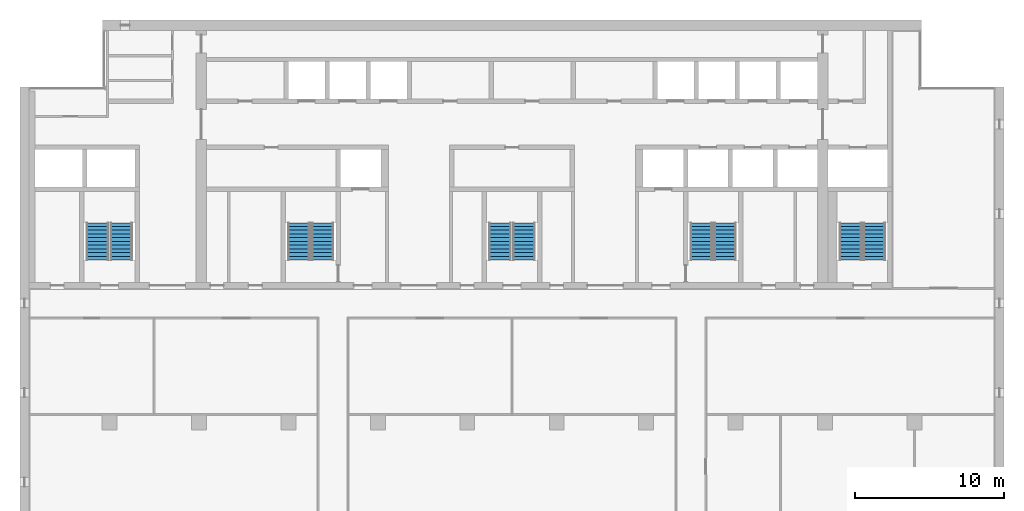
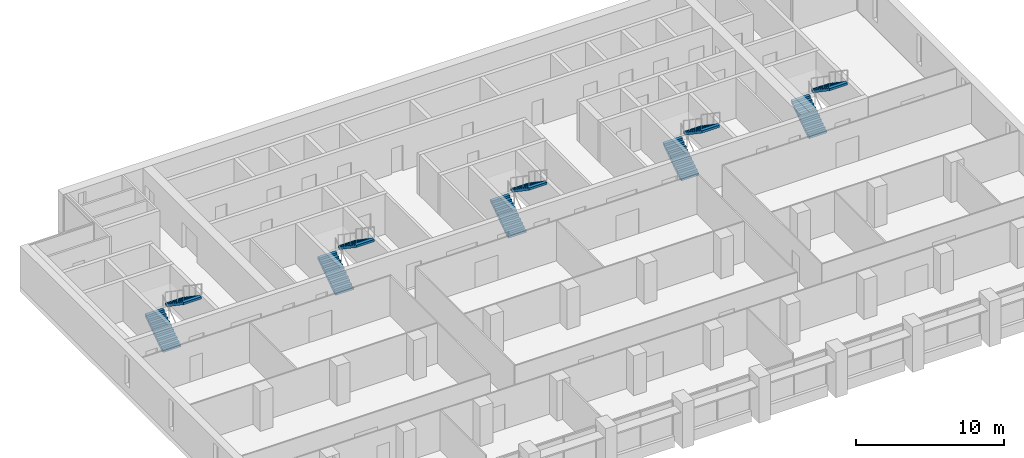
# One storey, part 13 of 17: 10 stair flights, 5 elements without a shape of their own.
"""IFC4 building model written with IfcOpenShell, lengths in metres."""

from ifc_helpers import new_model, si_unit, direction, frame, origin, place, context, subcontext, project, spatial, polyline, outline, extrude, material, type_object, element, aggregate, save


model = new_model("IFC4")

# Units and contexts
model_context = context("Model", 3, precision=1e-05, world=origin(), true_north=direction((0.0, 1.0)))
body_context = subcontext(model_context, "Body", "Model", "MODEL_VIEW")
ifc_project = project(units=[si_unit("LENGTHUNIT", "METRE"), si_unit("AREAUNIT", "SQUARE_METRE"), si_unit("VOLUMEUNIT", "CUBIC_METRE"), si_unit("PLANEANGLEUNIT", "RADIAN"), si_unit("MASSUNIT", "GRAM", prefix="KILO")], contexts=[model_context])

# Site, building, storey
site_placement = place(None, origin())
site = spatial("IfcSite", under=ifc_project, at=site_placement, CompositionType="ELEMENT")
building_placement = place(site_placement, origin())
building = spatial("IfcBuilding", under=site, at=building_placement, Name="Calvaro Tower", CompositionType="ELEMENT")
storey_placement = place(building_placement, frame((0.0, 0.0, 215.5)))
storey = spatial("IfcBuildingStorey", under=building, at=storey_placement, Name="L54", CompositionType="ELEMENT", Elevation=215.5)

# Stair, stair flights
ifc_material_1 = material(Name="Concrete C40/50", Category="concrete")
stair_type = type_object("IfcStairType", Name="Exit stair 1400 2 flights", PredefinedType="HALF_TURN_STAIR", material=ifc_material_1)
stair_1_placement = place(storey_placement, origin())
stair_1 = element("IfcStair", 1, at=stair_1_placement, inside=storey, type_object=stair_type, Name="Exit stair S1", PredefinedType="HALF_TURN_STAIR")
ifc_material_2 = material(Name="Concrete C40/50", Category="concrete")
stair_flight_type = type_object("IfcStairFlightType", Name="Stair flight", PredefinedType="STRAIGHT", material=ifc_material_2)
stair_flight_1_placement = place(storey_placement, frame((11.199951171875, 29.89990234375, 0.0), z_axis=(0.0, 0.0, 1.0), x_axis=(0.0, 1.0, 0.0)))
stair_flight_1 = element("IfcStairFlight", 2, at=stair_flight_1_placement, type_object=stair_flight_type, Name="Exit stair 1, flight 1", NumberOfRisers=11, NumberOfTreads=10, PredefinedType="STRAIGHT", RiserHeight=0.170454545, TreadLength=0.25, context=body_context, shape_type="SweptSolid", body=[
    extrude(outline(polyline([(0.0, 0.0), (0.0, 0.17041015625), (0.25, 0.17041015625), (0.25, 0.3408203125), (0.5, 0.3408203125), (0.5, 0.511474609375), (0.75, 0.511474609375), (0.75, 0.681884765625), (1.0, 0.681884765625), (1.0, 0.852294921875), (1.25, 0.852294921875), (1.25, 1.022705078125), (1.5, 1.022705078125), (1.5, 1.193115234375), (1.75, 1.193115234375), (1.75, 1.363525390625), (2.0, 1.363525390625), (2.0, 1.5341796875), (2.25, 1.5341796875), (2.25, 1.70458984375), (2.5, 1.70458984375), (2.5, 1.875), (2.5, 1.523193359375), (0.26611328125, 0.0), (0.0, 0.0)])), frame((0.0, 0.699951171875, 0.0), z_axis=(0.0, -1.0, 0.0), x_axis=(1.0, 0.0, 0.0)), (0.0, 0.0, 1.0), 1.39990234375),
])
stair_flight_2_placement = place(storey_placement, frame((12.800048828125, 32.39990234375, 1.875), z_axis=(0.0, 0.0, 1.0), x_axis=(0.0, -1.0, 0.0)))
stair_flight_2 = element("IfcStairFlight", 3, at=stair_flight_2_placement, type_object=stair_flight_type, Name="Exit stair 1, flight 2", NumberOfRisers=11, NumberOfTreads=10, PredefinedType="STRAIGHT", RiserHeight=0.170454545, TreadLength=0.25, context=body_context, shape_type="SweptSolid", body=[
    extrude(outline(polyline([(0.0, 0.0), (0.0, 0.17041015625), (0.25, 0.17041015625), (0.25, 0.3408203125), (0.5, 0.3408203125), (0.5, 0.511474609375), (0.75, 0.511474609375), (0.75, 0.681884765625), (1.0, 0.681884765625), (1.0, 0.852294921875), (1.25, 0.852294921875), (1.25, 1.022705078125), (1.5, 1.022705078125), (1.5, 1.193115234375), (1.75, 1.193115234375), (1.75, 1.363525390625), (2.0, 1.363525390625), (2.0, 1.5341796875), (2.25, 1.5341796875), (2.25, 1.70458984375), (2.5, 1.70458984375), (2.5, 1.875), (2.5, 1.523193359375), (0.26611328125, 0.0), (0.0, 0.0)])), frame((0.0, 0.699951171875, 0.0), z_axis=(0.0, -1.0, 0.0), x_axis=(1.0, 0.0, 0.0)), (0.0, 0.0, 1.0), 1.39990234375),
])
aggregate(stair_1, [stair_flight_1, stair_flight_2])

stair_2_placement = place(storey_placement, origin())
stair_2 = element("IfcStair", 4, at=stair_2_placement, inside=storey, type_object=stair_type, Name="Exit stair S2", PredefinedType="HALF_TURN_STAIR")
stair_flight_3_placement = place(storey_placement, frame((24.699951171875, 29.89990234375, 0.0), z_axis=(0.0, 0.0, 1.0), x_axis=(0.0, 1.0, 0.0)))
stair_flight_3 = element("IfcStairFlight", 5, at=stair_flight_3_placement, type_object=stair_flight_type, Name="Exit stair 2, flight 1", NumberOfRisers=11, NumberOfTreads=10, PredefinedType="STRAIGHT", RiserHeight=0.170454545, TreadLength=0.25, context=body_context, shape_type="SweptSolid", body=[
    extrude(outline(polyline([(0.0, 0.0), (0.0, 0.17041015625), (0.25, 0.17041015625), (0.25, 0.3408203125), (0.5, 0.3408203125), (0.5, 0.511474609375), (0.75, 0.511474609375), (0.75, 0.681884765625), (1.0, 0.681884765625), (1.0, 0.852294921875), (1.25, 0.852294921875), (1.25, 1.022705078125), (1.5, 1.022705078125), (1.5, 1.193115234375), (1.75, 1.193115234375), (1.75, 1.363525390625), (2.0, 1.363525390625), (2.0, 1.5341796875), (2.25, 1.5341796875), (2.25, 1.70458984375), (2.5, 1.70458984375), (2.5, 1.875), (2.5, 1.523193359375), (0.26611328125, 0.0), (0.0, 0.0)])), frame((0.0, 0.699951171875, 0.0), z_axis=(0.0, -1.0, 0.0), x_axis=(1.0, 0.0, 0.0)), (0.0, 0.0, 1.0), 1.39990234375),
])
stair_flight_4_placement = place(storey_placement, frame((26.300048828125, 32.39990234375, 1.875), z_axis=(0.0, 0.0, 1.0), x_axis=(0.0, -1.0, 0.0)))
stair_flight_4 = element("IfcStairFlight", 6, at=stair_flight_4_placement, type_object=stair_flight_type, Name="Exit stair 2, flight 2", NumberOfRisers=11, NumberOfTreads=10, PredefinedType="STRAIGHT", RiserHeight=0.170454545, TreadLength=0.25, context=body_context, shape_type="SweptSolid", body=[
    extrude(outline(polyline([(0.0, 0.0), (0.0, 0.17041015625), (0.25, 0.17041015625), (0.25, 0.3408203125), (0.5, 0.3408203125), (0.5, 0.511474609375), (0.75, 0.511474609375), (0.75, 0.681884765625), (1.0, 0.681884765625), (1.0, 0.852294921875), (1.25, 0.852294921875), (1.25, 1.022705078125), (1.5, 1.022705078125), (1.5, 1.193115234375), (1.75, 1.193115234375), (1.75, 1.363525390625), (2.0, 1.363525390625), (2.0, 1.5341796875), (2.25, 1.5341796875), (2.25, 1.70458984375), (2.5, 1.70458984375), (2.5, 1.875), (2.5, 1.523193359375), (0.26611328125, 0.0), (0.0, 0.0)])), frame((0.0, 0.699951171875, 0.0), z_axis=(0.0, -1.0, 0.0), x_axis=(1.0, 0.0, 0.0)), (0.0, 0.0, 1.0), 1.39990234375),
])
aggregate(stair_2, [stair_flight_3, stair_flight_4])

stair_3_placement = place(storey_placement, origin())
stair_3 = element("IfcStair", 7, at=stair_3_placement, inside=storey, type_object=stair_type, Name="Exit stair S3", PredefinedType="HALF_TURN_STAIR")
stair_flight_5_placement = place(storey_placement, frame((38.199951171875, 29.89990234375, 0.0), z_axis=(0.0, 0.0, 1.0), x_axis=(0.0, 1.0, 0.0)))
stair_flight_5 = element("IfcStairFlight", 8, at=stair_flight_5_placement, type_object=stair_flight_type, Name="Exit stair 3, flight 1", NumberOfRisers=11, NumberOfTreads=10, PredefinedType="STRAIGHT", RiserHeight=0.170454545, TreadLength=0.25, context=body_context, shape_type="SweptSolid", body=[
    extrude(outline(polyline([(0.0, 0.0), (0.0, 0.17041015625), (0.25, 0.17041015625), (0.25, 0.3408203125), (0.5, 0.3408203125), (0.5, 0.511474609375), (0.75, 0.511474609375), (0.75, 0.681884765625), (1.0, 0.681884765625), (1.0, 0.852294921875), (1.25, 0.852294921875), (1.25, 1.022705078125), (1.5, 1.022705078125), (1.5, 1.193115234375), (1.75, 1.193115234375), (1.75, 1.363525390625), (2.0, 1.363525390625), (2.0, 1.5341796875), (2.25, 1.5341796875), (2.25, 1.70458984375), (2.5, 1.70458984375), (2.5, 1.875), (2.5, 1.523193359375), (0.26611328125, 0.0), (0.0, 0.0)])), frame((0.0, 0.699951171875, 0.0), z_axis=(0.0, -1.0, 0.0), x_axis=(1.0, 0.0, 0.0)), (0.0, 0.0, 1.0), 1.39990234375),
])
stair_flight_6_placement = place(storey_placement, frame((39.800048828125, 32.39990234375, 1.875), z_axis=(0.0, 0.0, 1.0), x_axis=(0.0, -1.0, 0.0)))
stair_flight_6 = element("IfcStairFlight", 9, at=stair_flight_6_placement, type_object=stair_flight_type, Name="Exit stair 3, flight 2", NumberOfRisers=11, NumberOfTreads=10, PredefinedType="STRAIGHT", RiserHeight=0.170454545, TreadLength=0.25, context=body_context, shape_type="SweptSolid", body=[
    extrude(outline(polyline([(0.0, 0.0), (0.0, 0.17041015625), (0.25, 0.17041015625), (0.25, 0.3408203125), (0.5, 0.3408203125), (0.5, 0.511474609375), (0.75, 0.511474609375), (0.75, 0.681884765625), (1.0, 0.681884765625), (1.0, 0.852294921875), (1.25, 0.852294921875), (1.25, 1.022705078125), (1.5, 1.022705078125), (1.5, 1.193115234375), (1.75, 1.193115234375), (1.75, 1.363525390625), (2.0, 1.363525390625), (2.0, 1.5341796875), (2.25, 1.5341796875), (2.25, 1.70458984375), (2.5, 1.70458984375), (2.5, 1.875), (2.5, 1.523193359375), (0.26611328125, 0.0), (0.0, 0.0)])), frame((0.0, 0.699951171875, 0.0), z_axis=(0.0, -1.0, 0.0), x_axis=(1.0, 0.0, 0.0)), (0.0, 0.0, 1.0), 1.39990234375),
])
aggregate(stair_3, [stair_flight_5, stair_flight_6])

stair_4_placement = place(storey_placement, origin())
stair_4 = element("IfcStair", 10, at=stair_4_placement, inside=storey, type_object=stair_type, Name="Exit stair S4", PredefinedType="HALF_TURN_STAIR")
stair_flight_7_placement = place(storey_placement, frame((51.699951171875, 29.89990234375, 0.0), z_axis=(0.0, 0.0, 1.0), x_axis=(0.0, 1.0, 0.0)))
stair_flight_7 = element("IfcStairFlight", 11, at=stair_flight_7_placement, type_object=stair_flight_type, Name="Exit stair 4, flight 1", NumberOfRisers=11, NumberOfTreads=10, PredefinedType="STRAIGHT", RiserHeight=0.170454545, TreadLength=0.25, context=body_context, shape_type="SweptSolid", body=[
    extrude(outline(polyline([(0.0, 0.0), (0.0, 0.17041015625), (0.25, 0.17041015625), (0.25, 0.3408203125), (0.5, 0.3408203125), (0.5, 0.511474609375), (0.75, 0.511474609375), (0.75, 0.681884765625), (1.0, 0.681884765625), (1.0, 0.852294921875), (1.25, 0.852294921875), (1.25, 1.022705078125), (1.5, 1.022705078125), (1.5, 1.193115234375), (1.75, 1.193115234375), (1.75, 1.363525390625), (2.0, 1.363525390625), (2.0, 1.5341796875), (2.25, 1.5341796875), (2.25, 1.70458984375), (2.5, 1.70458984375), (2.5, 1.875), (2.5, 1.523193359375), (0.26611328125, 0.0), (0.0, 0.0)])), frame((0.0, 0.699951171875, 0.0), z_axis=(0.0, -1.0, 0.0), x_axis=(1.0, 0.0, 0.0)), (0.0, 0.0, 1.0), 1.39990234375),
])
stair_flight_8_placement = place(storey_placement, frame((53.300048828125, 32.39990234375, 1.875), z_axis=(0.0, 0.0, 1.0), x_axis=(0.0, -1.0, 0.0)))
stair_flight_8 = element("IfcStairFlight", 12, at=stair_flight_8_placement, type_object=stair_flight_type, Name="Exit stair 4, flight 2", NumberOfRisers=11, NumberOfTreads=10, PredefinedType="STRAIGHT", RiserHeight=0.170454545, TreadLength=0.25, context=body_context, shape_type="SweptSolid", body=[
    extrude(outline(polyline([(0.0, 0.0), (0.0, 0.17041015625), (0.25, 0.17041015625), (0.25, 0.3408203125), (0.5, 0.3408203125), (0.5, 0.511474609375), (0.75, 0.511474609375), (0.75, 0.681884765625), (1.0, 0.681884765625), (1.0, 0.852294921875), (1.25, 0.852294921875), (1.25, 1.022705078125), (1.5, 1.022705078125), (1.5, 1.193115234375), (1.75, 1.193115234375), (1.75, 1.363525390625), (2.0, 1.363525390625), (2.0, 1.5341796875), (2.25, 1.5341796875), (2.25, 1.70458984375), (2.5, 1.70458984375), (2.5, 1.875), (2.5, 1.523193359375), (0.26611328125, 0.0), (0.0, 0.0)])), frame((0.0, 0.699951171875, 0.0), z_axis=(0.0, -1.0, 0.0), x_axis=(1.0, 0.0, 0.0)), (0.0, 0.0, 1.0), 1.39990234375),
])
aggregate(stair_4, [stair_flight_7, stair_flight_8])

stair_5_placement = place(storey_placement, origin())
stair_5 = element("IfcStair", 13, at=stair_5_placement, inside=storey, type_object=stair_type, Name="Exit stair S5", PredefinedType="HALF_TURN_STAIR")
stair_flight_9_placement = place(storey_placement, frame((61.699951171875, 29.89990234375, 0.0), z_axis=(0.0, 0.0, 1.0), x_axis=(0.0, 1.0, 0.0)))
stair_flight_9 = element("IfcStairFlight", 14, at=stair_flight_9_placement, type_object=stair_flight_type, Name="Exit stair 5, flight 1", NumberOfRisers=11, NumberOfTreads=10, PredefinedType="STRAIGHT", RiserHeight=0.170454545, TreadLength=0.25, context=body_context, shape_type="SweptSolid", body=[
    extrude(outline(polyline([(0.0, 0.0), (0.0, 0.17041015625), (0.25, 0.17041015625), (0.25, 0.3408203125), (0.5, 0.3408203125), (0.5, 0.511474609375), (0.75, 0.511474609375), (0.75, 0.681884765625), (1.0, 0.681884765625), (1.0, 0.852294921875), (1.25, 0.852294921875), (1.25, 1.022705078125), (1.5, 1.022705078125), (1.5, 1.193115234375), (1.75, 1.193115234375), (1.75, 1.363525390625), (2.0, 1.363525390625), (2.0, 1.5341796875), (2.25, 1.5341796875), (2.25, 1.70458984375), (2.5, 1.70458984375), (2.5, 1.875), (2.5, 1.523193359375), (0.26611328125, 0.0), (0.0, 0.0)])), frame((0.0, 0.699951171875, 0.0), z_axis=(0.0, -1.0, 0.0), x_axis=(1.0, 0.0, 0.0)), (0.0, 0.0, 1.0), 1.39990234375),
])
stair_flight_10_placement = place(storey_placement, frame((63.300048828125, 32.39990234375, 1.875), z_axis=(0.0, 0.0, 1.0), x_axis=(0.0, -1.0, 0.0)))
stair_flight_10 = element("IfcStairFlight", 15, at=stair_flight_10_placement, type_object=stair_flight_type, Name="Exit stair 5, flight 2", NumberOfRisers=11, NumberOfTreads=10, PredefinedType="STRAIGHT", RiserHeight=0.170454545, TreadLength=0.25, context=body_context, shape_type="SweptSolid", body=[
    extrude(outline(polyline([(0.0, 0.0), (0.0, 0.17041015625), (0.25, 0.17041015625), (0.25, 0.3408203125), (0.5, 0.3408203125), (0.5, 0.511474609375), (0.75, 0.511474609375), (0.75, 0.681884765625), (1.0, 0.681884765625), (1.0, 0.852294921875), (1.25, 0.852294921875), (1.25, 1.022705078125), (1.5, 1.022705078125), (1.5, 1.193115234375), (1.75, 1.193115234375), (1.75, 1.363525390625), (2.0, 1.363525390625), (2.0, 1.5341796875), (2.25, 1.5341796875), (2.25, 1.70458984375), (2.5, 1.70458984375), (2.5, 1.875), (2.5, 1.523193359375), (0.26611328125, 0.0), (0.0, 0.0)])), frame((0.0, 0.699951171875, 0.0), z_axis=(0.0, -1.0, 0.0), x_axis=(1.0, 0.0, 0.0)), (0.0, 0.0, 1.0), 1.39990234375),
])
aggregate(stair_5, [stair_flight_9, stair_flight_10])

save(model, "model.ifc")
